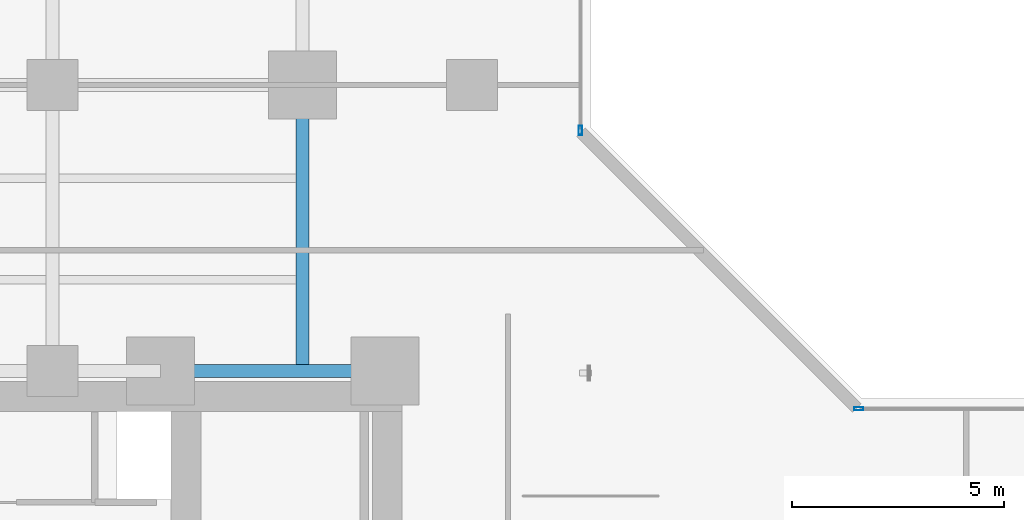
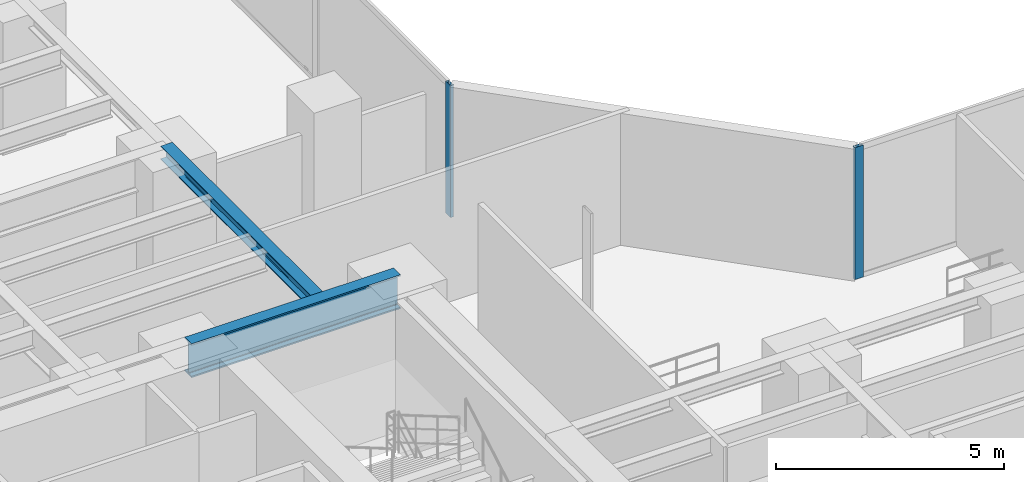
# One storey, part 8 of 29: 2 beams, 2 members, 2 elements without a shape of their own.
"""IFC4 building model written with IfcOpenShell, lengths in metres."""

from ifc_helpers import new_model, si_unit, direction, frame, origin, origin_with_axes, origin_2d, place, context, subcontext, project, spatial, hollow_rectangle, i_section, extrude, source, transform, mapped, material, layer, layer_set, material_profile, profile_set, type_object, element, aggregate, save


model = new_model("IFC4")

# Units and contexts
model_context = context("Model", 3, precision=1e-05, world=origin(), true_north=direction((0.0, 1.0)))
body_context = subcontext(model_context, "Body", "Model", "MODEL_VIEW")
ifc_project = project(units=[si_unit("LENGTHUNIT", "METRE"), si_unit("AREAUNIT", "SQUARE_METRE"), si_unit("VOLUMEUNIT", "CUBIC_METRE"), si_unit("PLANEANGLEUNIT", "RADIAN"), si_unit("MASSUNIT", "GRAM", prefix="KILO")], contexts=[model_context])

# Site, building, storey
site_placement = place(None, origin())
site = spatial("IfcSite", under=ifc_project, at=site_placement, CompositionType="ELEMENT")
building_placement = place(site_placement, origin())
building = spatial("IfcBuilding", under=site, at=building_placement, Name="Kolvaren Waterfront Exchange", CompositionType="ELEMENT")
storey_placement = place(building_placement, frame((0.0, 0.0, 29.60009765625)))
storey = spatial("IfcBuildingStorey", under=building, at=storey_placement, Name="L07", CompositionType="ELEMENT", Elevation=29.60009765625)

# Beams
ifc_material_1 = material(Name="Steel S355", Category="steel")
ifc_material_profile_1 = material_profile(ifc_material_1, i_section(OverallWidth=0.300048828125, OverallDepth=0.360107421875, WebThickness=0.012451171875, FlangeThickness=0.0224609375, FilletRadius=0.027099609375, at=origin_2d()), Name="HEB360")
ifc_profile_set_1 = profile_set([ifc_material_profile_1], Name="Steel S355")
beam_type_1 = type_object("IfcBeamType", Name="STR-BM-HEB360", PredefinedType="SPANDREL", material=ifc_profile_set_1)
beam_1_placement = place(storey_placement, frame((18.800048828125, 24.449951171875, 3.35986328125), z_axis=(0.0, 1.0, 0.0), x_axis=(-1.0, 0.0, 0.0)))
element("IfcBeam", 1, at=beam_1_placement, inside=storey, type_object=beam_type_1, Name="L07 north-arm edge beam 1", PredefinedType="SPANDREL", context=body_context, shape_type="SweptSolid", body=[
    extrude(i_section(OverallWidth=0.300048828125, OverallDepth=0.360107421875, WebThickness=0.012451171875, FlangeThickness=0.0224609375, FilletRadius=0.027099609375, at=origin_2d()), origin(), (0.0, 0.0, 1.0), 6.75),
])
ifc_material_2 = material(Name="Steel S460", Category="steel")
ifc_material_profile_2 = material_profile(ifc_material_2, i_section(OverallWidth=0.302001953125, OverallDepth=0.909912109375, WebThickness=0.02099609375, FlangeThickness=0.0400390625, FilletRadius=0.030029296875, at=origin_2d()), Name="HEM900")
ifc_profile_set_2 = profile_set([ifc_material_profile_2], Name="Steel S460")
beam_type_2 = type_object("IfcBeamType", Name="STR-TRG-HEM900", PredefinedType="BEAM", material=ifc_profile_set_2)
beam_2_placement = place(storey_placement, frame((15.449951171875, 24.449951171875, 3.0849609375), z_axis=(1.0, 0.0, 0.0), x_axis=(0.0, 1.0, 0.0)))
element("IfcBeam", 2, at=beam_2_placement, inside=storey, type_object=beam_type_2, Name="L07 north-arm girder 1C", PredefinedType="BEAM", context=body_context, shape_type="SweptSolid", body=[
    extrude(i_section(OverallWidth=0.302001953125, OverallDepth=0.909912109375, WebThickness=0.02099609375, FlangeThickness=0.0400390625, FilletRadius=0.030029296875, at=origin_2d()), origin(), (0.0, 0.0, 1.0), 5.300048828125),
])

# Curtain wall, member
ifc_material_3 = material(Name="Anodised bronze aluminium 6063-T6", Category="aluminium")
ifc_layer = layer(ifc_material_3, 0.219970703125, Name="Anodised bronze aluminium 6063-T6")
ifc_layer_set = layer_set([ifc_layer], Name="Anodised bronze aluminium 6063-T6")
curtain_wall_type = type_object("IfcCurtainWallType", Name="ARC-CW-SYS1", PredefinedType="USERDEFINED", material=ifc_layer_set)
curtain_wall_1_placement = place(storey_placement, origin())
curtain_wall_1 = element("IfcCurtainWall", 3, at=curtain_wall_1_placement, inside=storey, type_object=curtain_wall_type, Name="L07 stick curtain wall CW1 (CW-L07-NE)", ObjectType="STICK CURTAIN WALL", PredefinedType="USERDEFINED")
ifc_material_4 = material(Name="Anodised aluminium 6063-T6", Category="aluminium")
ifc_material_profile_3 = material_profile(ifc_material_4, hollow_rectangle(XDim=0.080078125, YDim=0.219970703125, WallThickness=0.0048828125, at=origin_2d()), Name="ALU-MUL-220x80x5")
ifc_profile_set_3 = profile_set([ifc_material_profile_3], Name="Anodised aluminium 6063-T6")
member_type = type_object("IfcMemberType", Name="ARC-CWM-220", PredefinedType="MULLION", material=ifc_profile_set_3)
shared_shape = source(origin_with_axes(), body_context, "Body", "SweptSolid", [
    extrude(hollow_rectangle(XDim=0.080078125, YDim=0.219970703125, WallThickness=0.0048828125, at=origin_2d()), origin(), (0.0, 0.0, 1.0), 3.539794921875),
])
member_1_placement = place(storey_placement, frame((25.360107421875, 30.1298828125, 0.0), z_axis=(0.0, 0.0, 1.0), x_axis=(-1.0, 0.0, 0.0)))
member_1 = element("IfcMember", 4, at=member_1_placement, type_object=member_type, Name="CW1 mullion 1", PredefinedType="MULLION", context=body_context, shape_type="MappedRepresentation", body=[
    mapped(shared_shape, transform((0.0, 0.0, 0.0), x_axis=(1.0, 0.0, 0.0), y_axis=(0.0, 1.0, 0.0), z_axis=(0.0, 0.0, 1.0), scale=1.0)),
])
aggregate(curtain_wall_1, [member_1])

curtain_wall_2_placement = place(storey_placement, origin())
curtain_wall_2 = element("IfcCurtainWall", 5, at=curtain_wall_2_placement, inside=storey, type_object=curtain_wall_type, Name="L07 stick curtain wall CW1 (CW-L07-EN)", ObjectType="STICK CURTAIN WALL", PredefinedType="USERDEFINED")
member_2_placement = place(storey_placement, frame((31.929931640625, 23.56005859375, 0.0), z_axis=(0.0, 0.0, 1.0), x_axis=(0.0, 1.0, 0.0)))
member_2 = element("IfcMember", 6, at=member_2_placement, type_object=member_type, Name="CW1 mullion 1", PredefinedType="MULLION", context=body_context, shape_type="MappedRepresentation", body=[
    mapped(shared_shape, transform((0.0, 0.0, 0.0), x_axis=(1.0, 0.0, 0.0), y_axis=(0.0, 1.0, 0.0), z_axis=(0.0, 0.0, 1.0), scale=1.0)),
])
aggregate(curtain_wall_2, [member_2])

save(model, "model.ifc")
